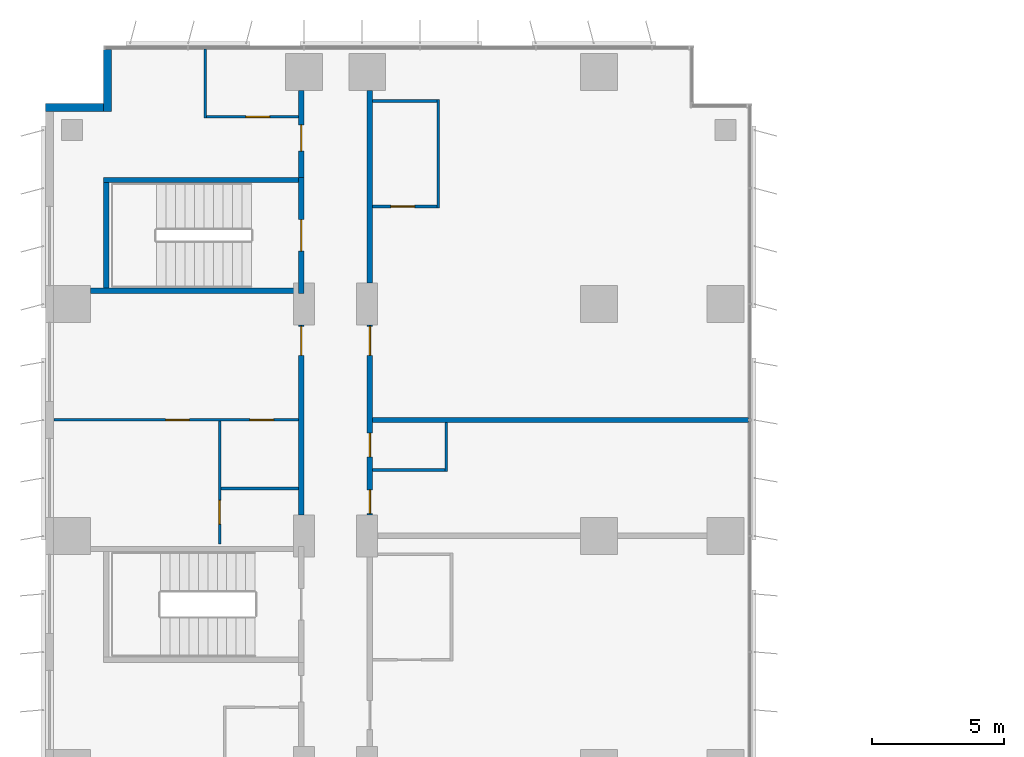
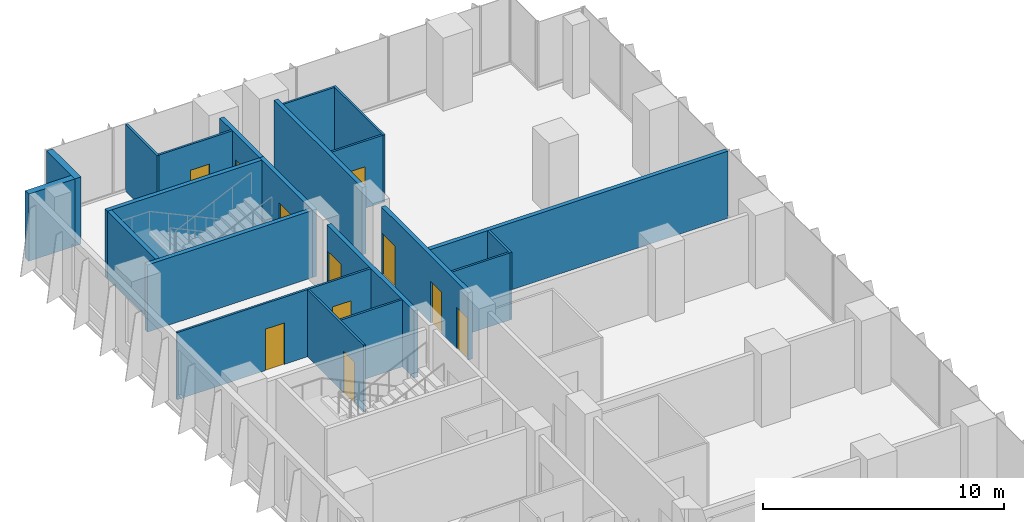
# One storey, part 19 of 24: 21 walls, 11 doors, 11 openings.
"""IFC4 building model written with IfcOpenShell, lengths in metres."""

from ifc_helpers import new_model, si_unit, direction, frame, frame_2d, origin, place, context, subcontext, project, spatial, rectangle, extrude, material, layer, layer_set, type_object, element, fill, save


model = new_model("IFC4")

# Units and contexts
model_context = context("Model", 3, precision=1e-05, world=origin(), true_north=direction((0.0, 1.0)))
body_context = subcontext(model_context, "Body", "Model", "MODEL_VIEW")
ifc_project = project(units=[si_unit("LENGTHUNIT", "METRE"), si_unit("AREAUNIT", "SQUARE_METRE"), si_unit("VOLUMEUNIT", "CUBIC_METRE"), si_unit("PLANEANGLEUNIT", "RADIAN"), si_unit("MASSUNIT", "GRAM", prefix="KILO")], contexts=[model_context])

# Site, building, storey
site_placement = place(None, origin())
site = spatial("IfcSite", under=ifc_project, at=site_placement, CompositionType="ELEMENT")
building_placement = place(site_placement, origin())
building = spatial("IfcBuilding", under=site, at=building_placement, Name="Kemantara Hotel Tower", CompositionType="ELEMENT")
storey_placement = place(building_placement, frame((0.0, 0.0, 76.0)))
storey = spatial("IfcBuildingStorey", under=building, at=storey_placement, Name="L17", CompositionType="ELEMENT", Elevation=76.0)

# Walls
ifc_material_1 = material(Name="Bronze anodised aluminium cladding on insulated steel stud wall", Category="steel")
ifc_layer_1 = layer(ifc_material_1, 0.300048828125)
ifc_layer_set_1 = layer_set([ifc_layer_1], Name="Bronze anodised aluminium cladding on insulated steel stud wall")
wall_type_1 = type_object("IfcWallType", Name="BRONZE METAL-CLAD EXTERNAL WALL 300", PredefinedType="STANDARD", material=ifc_layer_set_1)
wall_1_placement = place(storey_placement, frame((2.35009765625, 81.050048828125, 0.0), z_axis=(0.0, 0.0, 1.0), x_axis=(0.0, -1.0, 0.0)))
element("IfcWall", 1, at=wall_1_placement, inside=storey, type_object=wall_type_1, Name="EXTERNAL WALL L17 T1-R12", PredefinedType="STANDARD", context=body_context, shape_type="SweptSolid", body=[
    extrude(rectangle(XDim=2.35009765625, YDim=0.300048828125, at=frame_2d((1.175048828125, 0.0))), origin(), (0.0, 0.0, 1.0), 3.39990234375),
])
wall_2_placement = place(storey_placement, frame((2.199951171875, 78.85009765625, 0.0), z_axis=(0.0, 0.0, 1.0), x_axis=(-1.0, 0.0, 0.0)))
element("IfcWall", 2, at=wall_2_placement, inside=storey, type_object=wall_type_1, Name="EXTERNAL WALL L17 T1-R13", PredefinedType="STANDARD", context=body_context, shape_type="SweptSolid", body=[
    extrude(rectangle(XDim=2.199951171875, YDim=0.300048828125, at=frame_2d((1.10009765625, 0.0))), origin(), (0.0, 0.0, 1.0), 3.39990234375),
])

# Wall, opening, door
ifc_material_2 = material(Name="Gypsum board partition, steel studs and mineral wool, 200 mm", Category="steel")
ifc_layer_2 = layer(ifc_material_2, 0.199951171875)
ifc_layer_set_2 = layer_set([ifc_layer_2], Name="Gypsum board partition, steel studs and mineral wool, 200 mm")
wall_type_2 = type_object("IfcWallType", Name="CORRIDOR WALL 200", PredefinedType="PARTITIONING", material=ifc_layer_set_2)
wall_3_placement = place(storey_placement, frame((9.699951171875, 63.400146484375, 0.0), z_axis=(0.0, 0.0, 1.0), x_axis=(0.0, 1.0, 0.0)))
wall_3 = element("IfcWall", 3, at=wall_3_placement, inside=storey, type_object=wall_type_2, Name="CORRIDOR WALL 200 032", PredefinedType="PARTITIONING", context=body_context, shape_type="SweptSolid", body=[
    extrude(rectangle(XDim=7.19970703125, YDim=0.199951171875, at=frame_2d((3.599853515625, 0.0))), origin(), (0.0, 0.0, 1.0), 3.39990234375),
])
opening_1_placement = place(wall_3_placement, frame((6.0498046875, 0.0, 0.0)))
opening_1 = element("IfcOpeningElement", 4, at=opening_1_placement, cuts=wall_3, Name="Opening F06-046", PredefinedType="OPENING", context=body_context, shape_type="SweptSolid", body=[
    extrude(rectangle(XDim=1.10009765625, YDim=2.10009765625, at=frame_2d((0.550048828125, 1.050048828125))), frame((0.0, 0.10986328125, 0.0), z_axis=(0.0, -1.0, 0.0), x_axis=(1.0, 0.0, 0.0)), (0.0, 0.0, 1.0), 0.219970703125),
])
ifc_material_3 = material(Name="Hardwood veneer door leaf with steel frame", Category="steel")
door_type_1 = type_object("IfcDoorType", Name="SUITE ENTRANCE DOOR 1100 X 2100 FD30S", OperationType="NOTDEFINED", PredefinedType="DOOR", material=ifc_material_3)
door_1_placement = place(opening_1_placement, origin())
door_1 = element("IfcDoor", 5, at=door_1_placement, inside=storey, type_object=door_type_1, Name="SUITE ENTRANCE DOOR F06-046", OperationType="SINGLE_SWING_RIGHT", OverallHeight=2.10009765625, OverallWidth=1.10009765625, PredefinedType="DOOR", context=body_context, shape_type="SweptSolid", body=[
    extrude(rectangle(XDim=1.10009765625, YDim=2.10009765625, at=frame_2d((0.550048828125, 1.050048828125))), frame((0.0, 0.02490234375, 0.0), z_axis=(0.0, -1.0, 0.0), x_axis=(1.0, 0.0, 0.0)), (0.0, 0.0, 1.0), 0.050048828125),
])
fill(opening_1, door_1)

wall_4_placement = place(storey_placement, frame((9.699951171875, 76.199951171875, 0.0), z_axis=(0.0, 0.0, 1.0), x_axis=(0.0, 1.0, 0.0)))
wall_4 = element("IfcWall", 6, at=wall_4_placement, inside=storey, type_object=wall_type_2, Name="CORRIDOR WALL 200 033", PredefinedType="PARTITIONING", context=body_context, shape_type="SweptSolid", body=[
    extrude(rectangle(XDim=3.300048828125, YDim=0.199951171875, at=frame_2d((1.64990234375, 0.0))), origin(), (0.0, 0.0, 1.0), 3.39990234375),
])
opening_2_placement = place(wall_4_placement, frame((1.0, 0.0, 0.0)))
opening_2 = element("IfcOpeningElement", 7, at=opening_2_placement, cuts=wall_4, Name="Opening F06-050", PredefinedType="OPENING", context=body_context, shape_type="SweptSolid", body=[
    extrude(rectangle(XDim=1.0, YDim=2.10009765625, at=frame_2d((0.5, 1.050048828125))), frame((0.0, 0.10986328125, 0.0), z_axis=(0.0, -1.0, 0.0), x_axis=(1.0, 0.0, 0.0)), (0.0, 0.0, 1.0), 0.219970703125),
])
door_type_2 = type_object("IfcDoorType", Name="GUEST ROOM DOOR 1000 X 2100 FD30S", OperationType="NOTDEFINED", PredefinedType="DOOR", material=ifc_material_3)
door_2_placement = place(opening_2_placement, origin())
door_2 = element("IfcDoor", 8, at=door_2_placement, inside=storey, type_object=door_type_2, Name="GUEST ROOM DOOR F06-050", OperationType="SINGLE_SWING_LEFT", OverallHeight=2.10009765625, OverallWidth=1.0, PredefinedType="DOOR", context=body_context, shape_type="SweptSolid", body=[
    extrude(rectangle(XDim=1.0, YDim=2.10009765625, at=frame_2d((0.5, 1.050048828125))), frame((0.0, 0.02490234375, 0.0), z_axis=(0.0, -1.0, 0.0), x_axis=(1.0, 0.0, 0.0)), (0.0, 0.0, 1.0), 0.050048828125),
])
fill(opening_2, door_2)

# Wall, openings, doors
wall_5_placement = place(storey_placement, frame((12.300048828125, 70.599853515625, 0.0), z_axis=(0.0, 0.0, 1.0), x_axis=(0.0, -1.0, 0.0)))
wall_5 = element("IfcWall", 9, at=wall_5_placement, inside=storey, type_object=wall_type_2, Name="CORRIDOR WALL 200 049", PredefinedType="PARTITIONING", context=body_context, shape_type="SweptSolid", body=[
    extrude(rectangle(XDim=7.19970703125, YDim=0.199951171875, at=frame_2d((3.599853515625, 0.0))), origin(), (0.0, 0.0, 1.0), 3.39990234375),
])
opening_3_placement = place(wall_5_placement, frame((6.25, 0.0, 0.0)))
opening_3 = element("IfcOpeningElement", 10, at=opening_3_placement, cuts=wall_5, Name="Opening F06-062", PredefinedType="OPENING", context=body_context, shape_type="SweptSolid", body=[
    extrude(rectangle(XDim=0.89990234375, YDim=2.10009765625, at=frame_2d((0.449951171875, 1.050048828125))), frame((0.0, 0.10986328125, 0.0), z_axis=(0.0, -1.0, 0.0), x_axis=(1.0, 0.0, 0.0)), (0.0, 0.0, 1.0), 0.219970703125),
])
opening_4_placement = place(wall_5_placement, frame((4.099853515625, 0.0, 0.0)))
opening_4 = element("IfcOpeningElement", 11, at=opening_4_placement, cuts=wall_5, Name="Opening F06-063", PredefinedType="OPENING", context=body_context, shape_type="SweptSolid", body=[
    extrude(rectangle(XDim=0.89990234375, YDim=2.10009765625, at=frame_2d((0.449951171875, 1.050048828125))), frame((0.0, 0.10986328125, 0.0), z_axis=(0.0, -1.0, 0.0), x_axis=(1.0, 0.0, 0.0)), (0.0, 0.0, 1.0), 0.219970703125),
])
opening_5_placement = place(wall_5_placement, frame((0.0498046875, 0.0, 0.0)))
opening_5 = element("IfcOpeningElement", 12, at=opening_5_placement, cuts=wall_5, Name="Opening F06-064", PredefinedType="OPENING", context=body_context, shape_type="SweptSolid", body=[
    extrude(rectangle(XDim=1.10009765625, YDim=2.10009765625, at=frame_2d((0.550048828125, 1.050048828125))), frame((0.0, 0.10986328125, 0.0), z_axis=(0.0, -1.0, 0.0), x_axis=(1.0, 0.0, 0.0)), (0.0, 0.0, 1.0), 0.219970703125),
])
ifc_material_4 = material(Name="Steel door leaf with steel frame", Category="steel")
door_type_3 = type_object("IfcDoorType", Name="SERVICE ROOM DOOR 900 X 2100 FD60", OperationType="NOTDEFINED", PredefinedType="DOOR", material=ifc_material_4)
door_3_placement = place(opening_3_placement, origin())
door_3 = element("IfcDoor", 13, at=door_3_placement, inside=storey, type_object=door_type_3, Name="SERVICE ROOM DOOR F06-062", OperationType="SINGLE_SWING_RIGHT", OverallHeight=2.10009765625, OverallWidth=0.89990234375, PredefinedType="DOOR", context=body_context, shape_type="SweptSolid", body=[
    extrude(rectangle(XDim=0.89990234375, YDim=2.10009765625, at=frame_2d((0.449951171875, 1.050048828125))), frame((0.0, 0.02490234375, 0.0), z_axis=(0.0, -1.0, 0.0), x_axis=(1.0, 0.0, 0.0)), (0.0, 0.0, 1.0), 0.050048828125),
])
fill(opening_3, door_3)
door_4_placement = place(opening_4_placement, origin())
door_4 = element("IfcDoor", 14, at=door_4_placement, inside=storey, type_object=door_type_3, Name="SERVICE ROOM DOOR F06-063", OperationType="SINGLE_SWING_LEFT", OverallHeight=2.10009765625, OverallWidth=0.89990234375, PredefinedType="DOOR", context=body_context, shape_type="SweptSolid", body=[
    extrude(rectangle(XDim=0.89990234375, YDim=2.10009765625, at=frame_2d((0.449951171875, 1.050048828125))), frame((0.0, 0.02490234375, 0.0), z_axis=(0.0, -1.0, 0.0), x_axis=(1.0, 0.0, 0.0)), (0.0, 0.0, 1.0), 0.050048828125),
])
fill(opening_4, door_4)
door_5_placement = place(opening_5_placement, origin())
door_5 = element("IfcDoor", 15, at=door_5_placement, inside=storey, type_object=door_type_1, Name="SUITE ENTRANCE DOOR F06-064", OperationType="SINGLE_SWING_RIGHT", OverallHeight=2.10009765625, OverallWidth=1.10009765625, PredefinedType="DOOR", context=body_context, shape_type="SweptSolid", body=[
    extrude(rectangle(XDim=1.10009765625, YDim=2.10009765625, at=frame_2d((0.550048828125, 1.050048828125))), frame((0.0, 0.02490234375, 0.0), z_axis=(0.0, -1.0, 0.0), x_axis=(1.0, 0.0, 0.0)), (0.0, 0.0, 1.0), 0.050048828125),
])
fill(opening_5, door_5)

# Wall
wall_6_placement = place(storey_placement, frame((12.300048828125, 72.2001953125, 0.0), z_axis=(0.0, 0.0, 1.0), x_axis=(0.0, 1.0, 0.0)))
element("IfcWall", 16, at=wall_6_placement, inside=storey, type_object=wall_type_2, Name="CORRIDOR WALL 200 050", PredefinedType="PARTITIONING", context=body_context, shape_type="SweptSolid", body=[
    extrude(rectangle(XDim=7.2998046875, YDim=0.199951171875, at=frame_2d((3.64990234375, 0.0))), origin(), (0.0, 0.0, 1.0), 3.39990234375),
])

# Wall, opening, door
ifc_material_5 = material(Name="Concrete fc 40 MPa", Category="concrete")
ifc_layer_3 = layer(ifc_material_5, 0.199951171875)
ifc_layer_set_3 = layer_set([ifc_layer_3], Name="Concrete fc 40 MPa")
wall_type_3 = type_object("IfcWallType", Name="Concrete stair wall 200 mm", PredefinedType="SHEAR", material=ifc_layer_set_3)
wall_7_placement = place(storey_placement, frame((9.699951171875, 71.800048828125, 0.0), z_axis=(0.0, 0.0, 1.0), x_axis=(0.0, 1.0, 0.0)))
wall_7 = element("IfcWall", 17, at=wall_7_placement, inside=storey, type_object=wall_type_3, Name="Stair ST6 enclosure wall with door", PredefinedType="SHEAR", context=body_context, shape_type="SweptSolid", body=[
    extrude(rectangle(XDim=4.39990234375, YDim=0.199951171875, at=frame_2d((2.199951171875, 0.0))), origin(), (0.0, 0.0, 1.0), 3.39990234375),
])
opening_6_placement = place(wall_7_placement, frame((1.60009765625, 0.0, 0.0)))
opening_6 = element("IfcOpeningElement", 18, at=opening_6_placement, cuts=wall_7, Name="Opening ST6-C", PredefinedType="OPENING", context=body_context, shape_type="SweptSolid", body=[
    extrude(rectangle(XDim=1.199951171875, YDim=2.10009765625, at=frame_2d((0.60009765625, 1.050048828125))), frame((0.0, 0.10986328125, 0.0), z_axis=(0.0, -1.0, 0.0), x_axis=(1.0, 0.0, 0.0)), (0.0, 0.0, 1.0), 0.219970703125),
])
ifc_material_6 = material(Name="Steel fire door", Category="steel")
door_type_4 = type_object("IfcDoorType", Name="Fire door FD90 1200 x 2100", OperationType="NOTDEFINED", PredefinedType="DOOR", material=ifc_material_6)
door_6_placement = place(opening_6_placement, origin())
door_6 = element("IfcDoor", 19, at=door_6_placement, inside=storey, type_object=door_type_4, Name="Stair ST6 door", OperationType="SINGLE_SWING_RIGHT", OverallHeight=2.10009765625, OverallWidth=1.199951171875, PredefinedType="DOOR", context=body_context, shape_type="SweptSolid", body=[
    extrude(rectangle(XDim=1.199951171875, YDim=2.10009765625, at=frame_2d((0.60009765625, 1.050048828125))), frame((0.0, 0.02490234375, 0.0), z_axis=(0.0, -1.0, 0.0), x_axis=(1.0, 0.0, 0.0)), (0.0, 0.0, 1.0), 0.050048828125),
])
fill(opening_6, door_6)

# Walls
wall_8_placement = place(storey_placement, frame((2.199951171875, 76.10009765625, 0.0), z_axis=(0.0, 0.0, 1.0), x_axis=(1.0, 0.0, 0.0)))
element("IfcWall", 20, at=wall_8_placement, inside=storey, type_object=wall_type_3, Name="Stair ST6 enclosure wall N", PredefinedType="SHEAR", context=body_context, shape_type="SweptSolid", body=[
    extrude(rectangle(XDim=7.400146484375, YDim=0.199951171875, at=frame_2d((3.7001953125, 0.0))), origin(), (0.0, 0.0, 1.0), 3.39990234375),
])
wall_9_placement = place(storey_placement, frame((1.699951171875, 71.89990234375, 0.0), z_axis=(0.0, 0.0, 1.0), x_axis=(1.0, 0.0, 0.0)))
element("IfcWall", 21, at=wall_9_placement, inside=storey, type_object=wall_type_3, Name="Stair ST6 enclosure wall S", PredefinedType="SHEAR", context=body_context, shape_type="SweptSolid", body=[
    extrude(rectangle(XDim=7.900146484375, YDim=0.199951171875, at=frame_2d((3.9501953125, 0.0))), origin(), (0.0, 0.0, 1.0), 3.39990234375),
])
wall_10_placement = place(storey_placement, frame((2.300048828125, 72.0, 0.0), z_axis=(0.0, 0.0, 1.0), x_axis=(0.0, 1.0, 0.0)))
element("IfcWall", 22, at=wall_10_placement, inside=storey, type_object=wall_type_3, Name="Stair ST6 enclosure wall W", PredefinedType="SHEAR", context=body_context, shape_type="SweptSolid", body=[
    extrude(rectangle(XDim=4.0, YDim=0.199951171875, at=frame_2d((2.0, 0.0))), origin(), (0.0, 0.0, 1.0), 3.39990234375),
])
ifc_layer_4 = layer(ifc_material_2, 0.199951171875)
ifc_layer_set_4 = layer_set([ifc_layer_4], Name="Gypsum board partition, steel studs and mineral wool, 200 mm")
wall_type_4 = type_object("IfcWallType", Name="GUEST ROOM PARTY WALL 200", PredefinedType="PARTITIONING", material=ifc_layer_set_4)
wall_11_placement = place(storey_placement, frame((12.39990234375, 67.0, 0.0), z_axis=(0.0, 0.0, 1.0), x_axis=(1.0, 0.0, 0.0)))
element("IfcWall", 23, at=wall_11_placement, inside=storey, type_object=wall_type_4, Name="GUEST ROOM PARTY WALL 200 057", PredefinedType="PARTITIONING", context=body_context, shape_type="SweptSolid", body=[
    extrude(rectangle(XDim=14.27001953125, YDim=0.199951171875, at=frame_2d((7.135009765625, 0.0))), origin(), (0.0, 0.0, 1.0), 3.39990234375),
])
ifc_material_7 = material(Name="Gypsum board partition on steel studs, 100 mm", Category="steel")
ifc_layer_5 = layer(ifc_material_7, 0.10009765625)
ifc_layer_set_5 = layer_set([ifc_layer_5], Name="Gypsum board partition on steel studs, 100 mm")
wall_type_5 = type_object("IfcWallType", Name="ROOM PARTITION 100", PredefinedType="PARTITIONING", material=ifc_layer_set_5)
wall_12_placement = place(storey_placement, frame((6.050048828125, 78.449951171875, 0.0), z_axis=(0.0, 0.0, 1.0), x_axis=(0.0, 1.0, 0.0)))
element("IfcWall", 24, at=wall_12_placement, inside=storey, type_object=wall_type_5, Name="ROOM PARTITION 100 086", PredefinedType="PARTITIONING", context=body_context, shape_type="SweptSolid", body=[
    extrude(rectangle(XDim=2.6201171875, YDim=0.10009765625, at=frame_2d((1.31005859375, 0.0))), origin(), (0.0, 0.0, 1.0), 3.39990234375),
])

# Wall, opening, door
wall_13_placement = place(storey_placement, frame((6.60009765625, 66.949951171875, 0.0), z_axis=(0.0, 0.0, 1.0), x_axis=(0.0, -1.0, 0.0)))
wall_13 = element("IfcWall", 25, at=wall_13_placement, inside=storey, type_object=wall_type_5, Name="ROOM PARTITION 100 094", PredefinedType="PARTITIONING", context=body_context, shape_type="SweptSolid", body=[
    extrude(rectangle(XDim=4.64990234375, YDim=0.10009765625, at=frame_2d((2.324951171875, 0.0))), origin(), (0.0, 0.0, 1.0), 3.39990234375),
])
opening_7_placement = place(wall_13_placement, frame((3.0, 0.0, 0.0)))
opening_7 = element("IfcOpeningElement", 26, at=opening_7_placement, cuts=wall_13, Name="Opening F06-049", PredefinedType="OPENING", context=body_context, shape_type="SweptSolid", body=[
    extrude(rectangle(XDim=0.89990234375, YDim=2.10009765625, at=frame_2d((0.449951171875, 1.050048828125))), frame((0.0, 0.06005859375, 0.0), z_axis=(0.0, -1.0, 0.0), x_axis=(1.0, 0.0, 0.0)), (0.0, 0.0, 1.0), 0.1201171875),
])
door_type_5 = type_object("IfcDoorType", Name="BATHROOM DOOR 900 X 2100", OperationType="NOTDEFINED", PredefinedType="DOOR", material=ifc_material_3)
door_7_placement = place(opening_7_placement, origin())
door_7 = element("IfcDoor", 27, at=door_7_placement, inside=storey, type_object=door_type_5, Name="BATHROOM DOOR F06-049", OperationType="SINGLE_SWING_LEFT", OverallHeight=2.10009765625, OverallWidth=0.89990234375, PredefinedType="DOOR", context=body_context, shape_type="SweptSolid", body=[
    extrude(rectangle(XDim=0.89990234375, YDim=2.10009765625, at=frame_2d((0.449951171875, 1.050048828125))), frame((0.0, 0.02490234375, 0.0), z_axis=(0.0, -1.0, 0.0), x_axis=(1.0, 0.0, 0.0)), (0.0, 0.0, 1.0), 0.050048828125),
])
fill(opening_7, door_7)

# Wall, openings, doors
wall_14_placement = place(storey_placement, frame((0.31005859375, 67.0, 0.0), z_axis=(0.0, 0.0, 1.0), x_axis=(1.0, 0.0, 0.0)))
wall_14 = element("IfcWall", 28, at=wall_14_placement, inside=storey, type_object=wall_type_5, Name="ROOM PARTITION 100 103", PredefinedType="PARTITIONING", context=body_context, shape_type="SweptSolid", body=[
    extrude(rectangle(XDim=9.2900390625, YDim=0.10009765625, at=frame_2d((4.64501953125, 0.0))), origin(), (0.0, 0.0, 1.0), 3.39990234375),
])
opening_8_placement = place(wall_14_placement, frame((7.43994140625, 0.0, 0.0)))
opening_8 = element("IfcOpeningElement", 29, at=opening_8_placement, cuts=wall_14, Name="Opening F06-047", PredefinedType="OPENING", context=body_context, shape_type="SweptSolid", body=[
    extrude(rectangle(XDim=0.89990234375, YDim=2.10009765625, at=frame_2d((0.449951171875, 1.050048828125))), frame((0.0, 0.06005859375, 0.0), z_axis=(0.0, -1.0, 0.0), x_axis=(1.0, 0.0, 0.0)), (0.0, 0.0, 1.0), 0.1201171875),
])
opening_9_placement = place(wall_14_placement, frame((4.239990234375, 0.0, 0.0)))
opening_9 = element("IfcOpeningElement", 30, at=opening_9_placement, cuts=wall_14, Name="Opening F06-048", PredefinedType="OPENING", context=body_context, shape_type="SweptSolid", body=[
    extrude(rectangle(XDim=0.89990234375, YDim=2.10009765625, at=frame_2d((0.449951171875, 1.050048828125))), frame((0.0, 0.06005859375, 0.0), z_axis=(0.0, -1.0, 0.0), x_axis=(1.0, 0.0, 0.0)), (0.0, 0.0, 1.0), 0.1201171875),
])
door_type_6 = type_object("IfcDoorType", Name="INTERNAL DOOR 900 X 2100", OperationType="NOTDEFINED", PredefinedType="DOOR", material=ifc_material_3)
door_8_placement = place(opening_9_placement, frame((0.89990234375, 0.0, 0.0), z_axis=(0.0, 0.0, 1.0), x_axis=(-1.0, 0.0, 0.0)))
door_8 = element("IfcDoor", 31, at=door_8_placement, inside=storey, type_object=door_type_6, Name="INTERNAL DOOR F06-048", OperationType="SINGLE_SWING_RIGHT", OverallHeight=2.10009765625, OverallWidth=0.89990234375, PredefinedType="DOOR", context=body_context, shape_type="SweptSolid", body=[
    extrude(rectangle(XDim=0.89990234375, YDim=2.10009765625, at=frame_2d((0.449951171875, 1.050048828125))), frame((0.0, 0.02490234375, 0.0), z_axis=(0.0, -1.0, 0.0), x_axis=(1.0, 0.0, 0.0)), (0.0, 0.0, 1.0), 0.050048828125),
])
fill(opening_9, door_8)
door_type_7 = type_object("IfcDoorType", Name="PANTRY DOOR 900 X 2100", OperationType="NOTDEFINED", PredefinedType="DOOR", material=ifc_material_3)
door_9_placement = place(opening_8_placement, origin())
door_9 = element("IfcDoor", 32, at=door_9_placement, inside=storey, type_object=door_type_7, Name="PANTRY DOOR F06-047", OperationType="SINGLE_SWING_RIGHT", OverallHeight=2.10009765625, OverallWidth=0.89990234375, PredefinedType="DOOR", context=body_context, shape_type="SweptSolid", body=[
    extrude(rectangle(XDim=0.89990234375, YDim=2.10009765625, at=frame_2d((0.449951171875, 1.050048828125))), frame((0.0, 0.02490234375, 0.0), z_axis=(0.0, -1.0, 0.0), x_axis=(1.0, 0.0, 0.0)), (0.0, 0.0, 1.0), 0.050048828125),
])
fill(opening_8, door_9)

# Wall
wall_15_placement = place(storey_placement, frame((6.64990234375, 64.39990234375, 0.0), z_axis=(0.0, 0.0, 1.0), x_axis=(1.0, 0.0, 0.0)))
element("IfcWall", 33, at=wall_15_placement, inside=storey, type_object=wall_type_5, Name="ROOM PARTITION 100 104", PredefinedType="PARTITIONING", context=body_context, shape_type="SweptSolid", body=[
    extrude(rectangle(XDim=2.9501953125, YDim=0.10009765625, at=frame_2d((1.47509765625, 0.0))), origin(), (0.0, 0.0, 1.0), 3.39990234375),
])

# Wall, opening, door
wall_16_placement = place(storey_placement, frame((6.10009765625, 78.5, 0.0), z_axis=(0.0, 0.0, 1.0), x_axis=(1.0, 0.0, 0.0)))
wall_16 = element("IfcWall", 34, at=wall_16_placement, inside=storey, type_object=wall_type_5, Name="ROOM PARTITION 100 105", PredefinedType="PARTITIONING", context=body_context, shape_type="SweptSolid", body=[
    extrude(rectangle(XDim=3.5, YDim=0.10009765625, at=frame_2d((1.75, 0.0))), origin(), (0.0, 0.0, 1.0), 3.39990234375),
])
opening_10_placement = place(wall_16_placement, frame((1.5, 0.0, 0.0)))
opening_10 = element("IfcOpeningElement", 35, at=opening_10_placement, cuts=wall_16, Name="Opening F06-051", PredefinedType="OPENING", context=body_context, shape_type="SweptSolid", body=[
    extrude(rectangle(XDim=0.89990234375, YDim=2.10009765625, at=frame_2d((0.449951171875, 1.050048828125))), frame((0.0, 0.06005859375, 0.0), z_axis=(0.0, -1.0, 0.0), x_axis=(1.0, 0.0, 0.0)), (0.0, 0.0, 1.0), 0.1201171875),
])
door_10_placement = place(opening_10_placement, origin())
door_10 = element("IfcDoor", 36, at=door_10_placement, inside=storey, type_object=door_type_5, Name="BATHROOM DOOR F06-051", OperationType="SINGLE_SWING_RIGHT", OverallHeight=2.10009765625, OverallWidth=0.89990234375, PredefinedType="DOOR", context=body_context, shape_type="SweptSolid", body=[
    extrude(rectangle(XDim=0.89990234375, YDim=2.10009765625, at=frame_2d((0.449951171875, 1.050048828125))), frame((0.0, 0.02490234375, 0.0), z_axis=(0.0, -1.0, 0.0), x_axis=(1.0, 0.0, 0.0)), (0.0, 0.0, 1.0), 0.050048828125),
])
fill(opening_10, door_10)

# Walls
wall_17_placement = place(storey_placement, frame((15.199951171875, 65.050048828125, 0.0), z_axis=(0.0, 0.0, 1.0), x_axis=(0.0, 1.0, 0.0)))
element("IfcWall", 37, at=wall_17_placement, inside=storey, type_object=wall_type_5, Name="ROOM PARTITION 100 112", PredefinedType="PARTITIONING", context=body_context, shape_type="SweptSolid", body=[
    extrude(rectangle(XDim=1.849853515625, YDim=0.10009765625, at=frame_2d((0.9248046875, 0.0))), origin(), (0.0, 0.0, 1.0), 3.39990234375),
])
wall_18_placement = place(storey_placement, frame((12.39990234375, 65.10009765625, 0.0), z_axis=(0.0, 0.0, 1.0), x_axis=(1.0, 0.0, 0.0)))
element("IfcWall", 38, at=wall_18_placement, inside=storey, type_object=wall_type_5, Name="ROOM PARTITION 100 120", PredefinedType="PARTITIONING", context=body_context, shape_type="SweptSolid", body=[
    extrude(rectangle(XDim=2.75, YDim=0.10009765625, at=frame_2d((1.375, 0.0))), origin(), (0.0, 0.0, 1.0), 3.39990234375),
])
wall_19_placement = place(storey_placement, frame((14.89990234375, 75.050048828125, 0.0), z_axis=(0.0, 0.0, 1.0), x_axis=(0.0, 1.0, 0.0)))
element("IfcWall", 39, at=wall_19_placement, inside=storey, type_object=wall_type_5, Name="ROOM PARTITION 100 121", PredefinedType="PARTITIONING", context=body_context, shape_type="SweptSolid", body=[
    extrude(rectangle(XDim=4.099853515625, YDim=0.10009765625, at=frame_2d((2.0498046875, 0.0))), origin(), (0.0, 0.0, 1.0), 3.39990234375),
])

# Wall, opening, door
wall_20_placement = place(storey_placement, frame((12.39990234375, 75.10009765625, 0.0), z_axis=(0.0, 0.0, 1.0), x_axis=(1.0, 0.0, 0.0)))
wall_20 = element("IfcWall", 40, at=wall_20_placement, inside=storey, type_object=wall_type_5, Name="ROOM PARTITION 100 122", PredefinedType="PARTITIONING", context=body_context, shape_type="SweptSolid", body=[
    extrude(rectangle(XDim=2.4501953125, YDim=0.10009765625, at=frame_2d((1.22509765625, 0.0))), origin(), (0.0, 0.0, 1.0), 3.39990234375),
])
opening_11_placement = place(wall_20_placement, frame((0.699951171875, 0.0, 0.0)))
opening_11 = element("IfcOpeningElement", 41, at=opening_11_placement, cuts=wall_20, Name="Opening F06-065", PredefinedType="OPENING", context=body_context, shape_type="SweptSolid", body=[
    extrude(rectangle(XDim=0.89990234375, YDim=2.10009765625, at=frame_2d((0.449951171875, 1.050048828125))), frame((0.0, 0.06005859375, 0.0), z_axis=(0.0, -1.0, 0.0), x_axis=(1.0, 0.0, 0.0)), (0.0, 0.0, 1.0), 0.1201171875),
])
door_11_placement = place(opening_11_placement, origin())
door_11 = element("IfcDoor", 42, at=door_11_placement, inside=storey, type_object=door_type_5, Name="BATHROOM DOOR F06-065", OperationType="SINGLE_SWING_LEFT", OverallHeight=2.10009765625, OverallWidth=0.89990234375, PredefinedType="DOOR", context=body_context, shape_type="SweptSolid", body=[
    extrude(rectangle(XDim=0.89990234375, YDim=2.10009765625, at=frame_2d((0.449951171875, 1.050048828125))), frame((0.0, 0.02490234375, 0.0), z_axis=(0.0, -1.0, 0.0), x_axis=(1.0, 0.0, 0.0)), (0.0, 0.0, 1.0), 0.050048828125),
])
fill(opening_11, door_11)

# Wall
wall_21_placement = place(storey_placement, frame((12.39990234375, 79.10009765625, 0.0), z_axis=(0.0, 0.0, 1.0), x_axis=(1.0, 0.0, 0.0)))
element("IfcWall", 43, at=wall_21_placement, inside=storey, type_object=wall_type_5, Name="ROOM PARTITION 100 123", PredefinedType="PARTITIONING", context=body_context, shape_type="SweptSolid", body=[
    extrude(rectangle(XDim=2.4501953125, YDim=0.10009765625, at=frame_2d((1.22509765625, 0.0))), origin(), (0.0, 0.0, 1.0), 3.39990234375),
])

save(model, "model.ifc")
